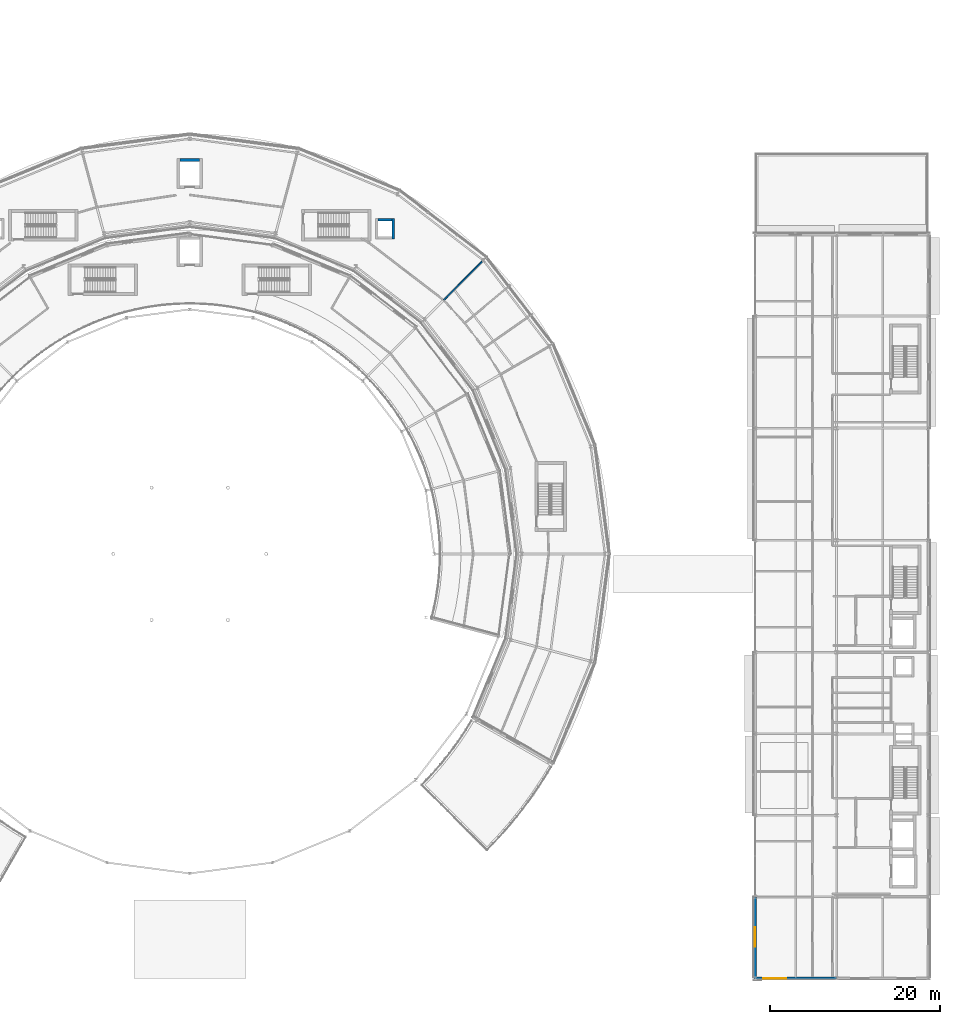
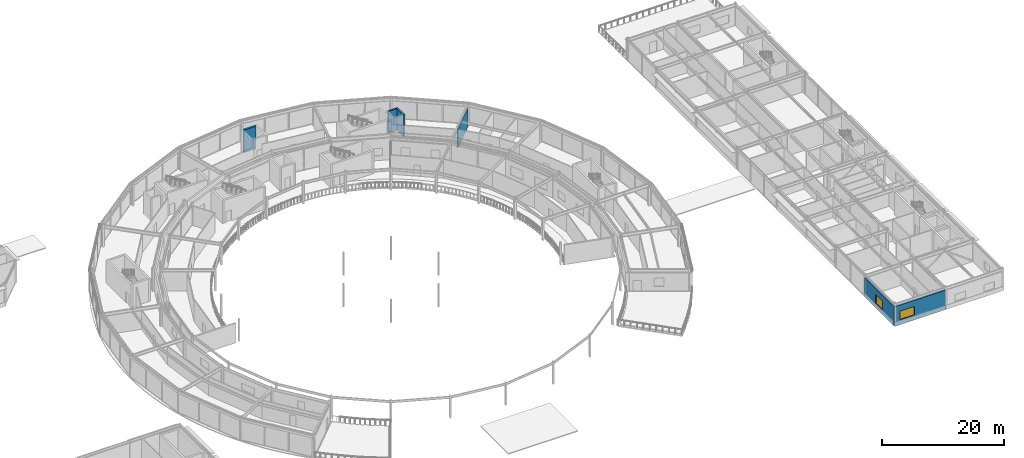
# One storey, part 107 of 133: 6 walls, 2 windows, 2 openings.
"""IFC4 building model written with IfcOpenShell, lengths in metres."""

from ifc_helpers import new_model, si_unit, direction, frame, frame_2d, origin, place, context, subcontext, project, spatial, rectangle, extrude, material, layer, layer_set, type_object, element, fill, save


model = new_model("IFC4")

# Units and contexts
model_context = context("Model", 3, precision=1e-05, world=origin(), true_north=direction((0.0, 1.0)))
body_context = subcontext(model_context, "Body", "Model", "MODEL_VIEW")
ifc_project = project(units=[si_unit("LENGTHUNIT", "METRE"), si_unit("AREAUNIT", "SQUARE_METRE"), si_unit("VOLUMEUNIT", "CUBIC_METRE"), si_unit("PLANEANGLEUNIT", "RADIAN"), si_unit("MASSUNIT", "GRAM", prefix="KILO")], contexts=[model_context])

# Site, building, storey
site_placement = place(None, origin())
site = spatial("IfcSite", under=ifc_project, at=site_placement, CompositionType="ELEMENT")
building_placement = place(site_placement, origin())
building = spatial("IfcBuilding", under=site, at=building_placement, Name="Almandine Court Research Institute", CompositionType="ELEMENT")
storey_placement = place(building_placement, frame((0.0, 0.0, 9.800048828125)))
storey = spatial("IfcBuildingStorey", under=building, at=storey_placement, Name="L02", CompositionType="ELEMENT", Elevation=9.800048828125)

# Wall, opening, window
ifc_material_1 = material(Name="Insulated Ochre Terracotta Rainscreen Wall", Category="masonry")
ifc_layer_1 = layer(ifc_material_1, 0.2900390625)
ifc_layer_set_1 = layer_set([ifc_layer_1], Name="Insulated Ochre Terracotta Rainscreen Wall")
wall_type_1 = type_object("IfcWallType", Name="Wall-EXT-TERR-290", PredefinedType="SOLIDWALL", material=ifc_layer_set_1)
wall_1_placement = place(storey_placement, frame((153.60009765625, 6.14892578125, 0.0), z_axis=(0.0, 0.0, 1.0), x_axis=(0.0, 1.0, 0.0)))
wall_1 = element("IfcWall", 1, at=wall_1_placement, inside=storey, type_object=wall_type_1, Name="L02 Wet Lab West Facade Wall 1", PredefinedType="SOLIDWALL", context=body_context, shape_type="SweptSolid", body=[
    extrude(rectangle(XDim=9.447021484375, YDim=0.2900390625, at=frame_2d((4.7236328125, 0.0))), origin(), (0.0, 0.0, 1.0), 3.89306640625),
])
opening_1_placement = place(wall_1_placement, frame((3.593017578125, 0.0, 0.949951171875)))
opening_1 = element("IfcOpeningElement", 2, at=opening_1_placement, cuts=wall_1, Name="Opening WN-07", PredefinedType="OPENING", context=body_context, shape_type="SweptSolid", body=[
    extrude(rectangle(XDim=2.260009765625, YDim=1.719970703125, at=frame_2d((1.1298828125, 0.85986328125))), frame((0.0, 0.155029296875, 0.0), z_axis=(0.0, -1.0, 0.0), x_axis=(1.0, 0.0, 0.0)), (0.0, 0.0, 1.0), 0.31005859375),
])
ifc_material_2 = material(Name="Thermally Broken Low-E Double-Glazed Window", Category="glass")
window_type_1 = type_object("IfcWindowType", Name="Win-WN-07-2260x1720", PartitioningType="SINGLE_PANEL", PredefinedType="WINDOW", material=ifc_material_2)
window_1_placement = place(opening_1_placement, origin())
window_1 = element("IfcWindow", 3, at=window_1_placement, inside=storey, type_object=window_type_1, Name="L02 Modular Recessed Low-E Window 101", OverallHeight=1.719970703125, OverallWidth=2.260009765625, PartitioningType="SINGLE_PANEL", PredefinedType="WINDOW", context=body_context, shape_type="SweptSolid", body=[
    extrude(rectangle(XDim=2.260009765625, YDim=1.719970703125, at=frame_2d((1.1298828125, 0.85986328125))), frame((0.0, 0.030029296875, 0.0), z_axis=(0.0, -1.0, 0.0), x_axis=(1.0, 0.0, 0.0)), (0.0, 0.0, 1.0), 0.06005859375),
])
fill(opening_1, window_1)

wall_2_placement = place(storey_placement, frame((163.196044921875, 6.0, 0.0), z_axis=(0.0, 0.0, 1.0), x_axis=(-1.0, 0.0, 0.0)))
wall_2 = element("IfcWall", 4, at=wall_2_placement, inside=storey, type_object=wall_type_1, Name="L02 Wet Lab South Wall 2", PredefinedType="SOLIDWALL", context=body_context, shape_type="SweptSolid", body=[
    extrude(rectangle(XDim=9.740966796875, YDim=0.2900390625, at=frame_2d((4.87060546875, 0.0))), origin(), (0.0, 0.0, 1.0), 3.884033203125),
])
opening_2_placement = place(wall_2_placement, frame((5.9560546875, 0.0, 0.949951171875)))
opening_2 = element("IfcOpeningElement", 5, at=opening_2_placement, cuts=wall_2, Name="Opening WN-77", PredefinedType="OPENING", context=body_context, shape_type="SweptSolid", body=[
    extrude(rectangle(XDim=2.699951171875, YDim=1.719970703125, at=frame_2d((1.35009765625, 0.85986328125))), frame((0.0, 0.155029296875, 0.0), z_axis=(0.0, -1.0, 0.0), x_axis=(1.0, 0.0, 0.0)), (0.0, 0.0, 1.0), 0.31005859375),
])
window_type_2 = type_object("IfcWindowType", Name="Win-WN-77-2700x1720", PartitioningType="SINGLE_PANEL", PredefinedType="WINDOW", material=ifc_material_2)
window_2_placement = place(opening_2_placement, origin())
window_2 = element("IfcWindow", 6, at=window_2_placement, inside=storey, type_object=window_type_2, Name="L02 Modular Recessed Low-E Window 113", OverallHeight=1.719970703125, OverallWidth=2.699951171875, PartitioningType="SINGLE_PANEL", PredefinedType="WINDOW", context=body_context, shape_type="SweptSolid", body=[
    extrude(rectangle(XDim=2.699951171875, YDim=1.719970703125, at=frame_2d((1.35009765625, 0.85986328125))), frame((0.0, 0.030029296875, 0.0), z_axis=(0.0, -1.0, 0.0), x_axis=(1.0, 0.0, 0.0)), (0.0, 0.0, 1.0), 0.06005859375),
])
fill(opening_2, window_2)

# Walls
ifc_material_3 = material(Name="Acoustic Steel-Stud Gypsum Partition Wall", Category="steel")
ifc_layer_2 = layer(ifc_material_3, 0.14990234375)
ifc_layer_set_2 = layer_set([ifc_layer_2], Name="Acoustic Steel-Stud Gypsum Partition Wall")
wall_type_2 = type_object("IfcWallType", Name="Wall-PART-150", PredefinedType="PARTITIONING", material=ifc_layer_set_2)
wall_3_placement = place(storey_placement, frame((116.89599609375, 85.89599609375, 0.0), z_axis=(0.0, 0.0, 1.0), x_axis=(0.707106781187, 0.707106781187, 0.0)))
element("IfcWall", 7, at=wall_3_placement, inside=storey, type_object=wall_type_2, Name="L02 Interior Partition W-V5-L02-WCRAD-4", PredefinedType="PARTITIONING", context=body_context, shape_type="SweptSolid", body=[
    extrude(rectangle(XDim=6.440185546875, YDim=0.14990234375, at=frame_2d((3.22021484375, 0.0))), origin(), (0.0, 0.0, 1.0), 3.737060546875),
])
ifc_material_4 = material(Name="Concrete C40/50", Category="concrete")
ifc_layer_3 = layer(ifc_material_4, 0.300048828125)
ifc_layer_set_3 = layer_set([ifc_layer_3], Name="Concrete C40/50")
wall_type_3 = type_object("IfcWallType", Name="Wall-SW-CORE-300", PredefinedType="SHEAR", material=ifc_layer_set_3)
wall_4_placement = place(storey_placement, frame((109.199951171875, 95.35009765625, 0.0), z_axis=(0.0, 0.0, 1.0), x_axis=(1.0, 0.0, 0.0)))
element("IfcWall", 8, at=wall_4_placement, inside=storey, type_object=wall_type_3, Name="L02 MEP Riser RS-V5A N Shear Wall", PredefinedType="SHEAR", context=body_context, shape_type="SweptSolid", body=[
    extrude(rectangle(XDim=1.60009765625, YDim=0.300048828125, at=frame_2d((0.800048828125, 0.0))), origin(), (0.0, 0.0, 1.0), 4.369873046875),
])
wall_5_placement = place(storey_placement, frame((110.949951171875, 95.5, 0.0), z_axis=(0.0, 0.0, 1.0), x_axis=(0.0, -1.0, 0.0)))
element("IfcWall", 9, at=wall_5_placement, inside=storey, type_object=wall_type_3, Name="L02 MEP Riser RS-V5A E Shear Wall", PredefinedType="SHEAR", context=body_context, shape_type="SweptSolid", body=[
    extrude(rectangle(XDim=2.39990234375, YDim=0.300048828125, at=frame_2d((1.199951171875, 0.0))), origin(), (0.0, 0.0, 1.0), 4.369873046875),
])
ifc_layer_4 = layer(ifc_material_4, 0.35009765625)
ifc_layer_set_4 = layer_set([ifc_layer_4], Name="Concrete C40/50")
wall_type_4 = type_object("IfcWallType", Name="Wall-SW-CORE-350", PredefinedType="SHEAR", material=ifc_layer_set_4)
wall_6_placement = place(storey_placement, frame((85.85009765625, 102.375, 0.0), z_axis=(0.0, 0.0, 1.0), x_axis=(1.0, 0.0, 0.0)))
element("IfcWall", 10, at=wall_6_placement, inside=storey, type_object=wall_type_4, Name="L02 PL-04 Hoistway N Shear Wall", PredefinedType="SHEAR", context=body_context, shape_type="SweptSolid", body=[
    extrude(rectangle(XDim=2.2998046875, YDim=0.35009765625, at=frame_2d((1.14990234375, 0.0))), origin(), (0.0, 0.0, 1.0), 4.550048828125),
])

save(model, "model.ifc")
